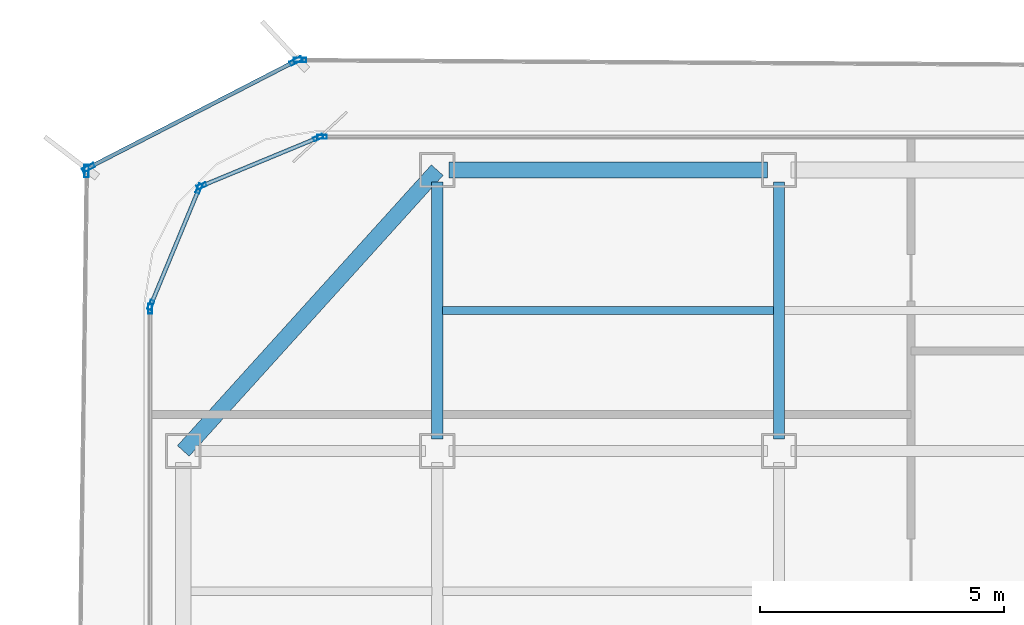
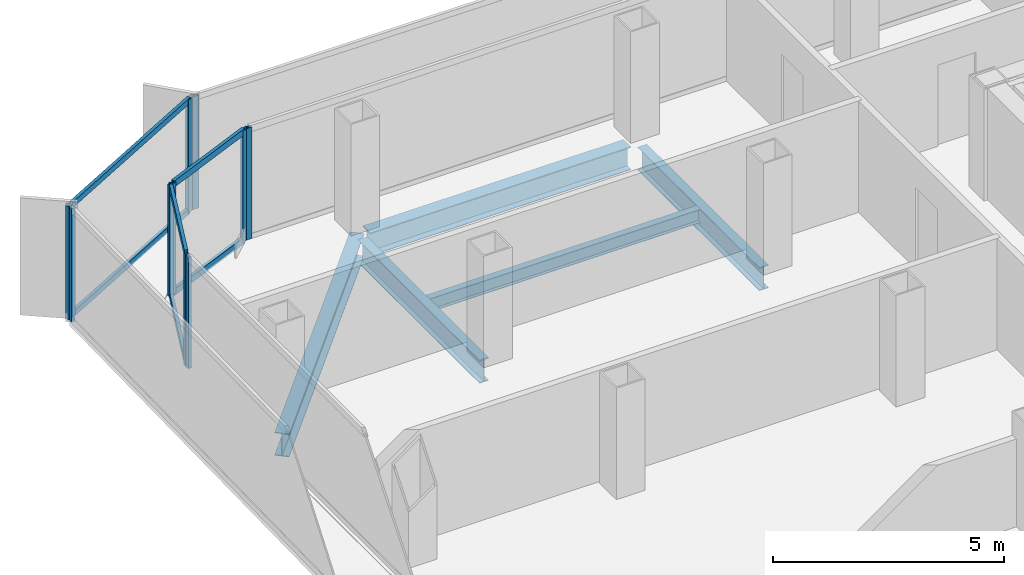
# One storey, part 6 of 15: 16 members, 5 beams, 7 elements without a shape of their own.
"""IFC4 building model written with IfcOpenShell, lengths in metres."""

from ifc_helpers import new_model, si_unit, direction, frame, origin, origin_2d, place, context, subcontext, project, spatial, hollow_rectangle, i_section, extrude, source, transform, mapped, material, layer, layer_set, material_profile, profile_set, type_object, element, aggregate, save


model = new_model("IFC4")

# Units and contexts
model_context = context("Model", 3, precision=1e-05, world=origin(), true_north=direction((0.0, 1.0)))
body_context = subcontext(model_context, "Body", "Model", "MODEL_VIEW")
ifc_project = project(units=[si_unit("LENGTHUNIT", "METRE"), si_unit("AREAUNIT", "SQUARE_METRE"), si_unit("VOLUMEUNIT", "CUBIC_METRE"), si_unit("PLANEANGLEUNIT", "RADIAN"), si_unit("MASSUNIT", "GRAM", prefix="KILO")], contexts=[model_context])

# Site, building, storey
site_placement = place(None, origin())
site = spatial("IfcSite", under=ifc_project, at=site_placement, CompositionType="ELEMENT")
building_placement = place(site_placement, origin())
building = spatial("IfcBuilding", under=site, at=building_placement, Name="Kolveth Station Tower", CompositionType="ELEMENT")
storey_placement = place(building_placement, frame((0.0, 0.0, 202.800048828125)))
storey = spatial("IfcBuildingStorey", under=building, at=storey_placement, Name="L57", CompositionType="ELEMENT", Elevation=202.800048828125)

# Beams
ifc_material_1 = material(Name="Steel S355", Category="steel")
ifc_material_profile_1 = material_profile(ifc_material_1, i_section(OverallWidth=0.323974609375, OverallDepth=0.611083984375, WebThickness=0.0126953125, FlangeThickness=0.01904296875, at=origin_2d()), Name="W610x155")
ifc_profile_set_1 = profile_set([ifc_material_profile_1], Name="Steel S355")
beam_type_1 = type_object("IfcBeamType", Name="Beam_SP2", PredefinedType="SPANDREL", material=ifc_profile_set_1)
shared_shape_1 = source(origin(), body_context, "Body", "SweptSolid", [
    extrude(i_section(OverallWidth=0.323974609375, OverallDepth=0.611083984375, WebThickness=0.0126953125, FlangeThickness=0.01904296875, at=origin_2d()), origin(), (0.0, 0.0, 1.0), 7.75244140625),
])
beam_1_placement = place(storey_placement, frame((6.0, 34.5, -0.5556640625), z_axis=(-0.670740965555, -0.74169168603, 0.0), x_axis=(0.74169168603, -0.670740965555, 0.0)))
element("IfcBeam", 1, at=beam_1_placement, inside=storey, type_object=beam_type_1, Name="L57 Corner Edge Girder BM-L57-CNR-NW", PredefinedType="SPANDREL", context=body_context, shape_type="MappedRepresentation", body=[
    mapped(shared_shape_1, transform((0.0, 0.0, 0.0), x_axis=(1.0, 0.0, 0.0), y_axis=(0.0, 1.0, 0.0), z_axis=(0.0, 0.0, 1.0), scale=1.0)),
])
shared_shape_2 = source(origin(), body_context, "Body", "SweptSolid", [
    extrude(i_section(OverallWidth=0.323974609375, OverallDepth=0.611083984375, WebThickness=0.0126953125, FlangeThickness=0.01904296875, at=origin_2d()), origin(), (0.0, 0.0, 1.0), 6.52001953125),
])
beam_2_placement = place(storey_placement, frame((6.239990234375, 34.5, -0.5556640625), z_axis=(1.0, 0.0, 0.0), x_axis=(0.0, 1.0, 0.0)))
element("IfcBeam", 2, at=beam_2_placement, inside=storey, type_object=beam_type_1, Name="L57 Perimeter Spandrel BM-L57-PN-1", PredefinedType="SPANDREL", context=body_context, shape_type="MappedRepresentation", body=[
    mapped(shared_shape_2, transform((0.0, 0.0, 0.0), x_axis=(1.0, 0.0, 0.0), y_axis=(0.0, 1.0, 0.0), z_axis=(0.0, 0.0, 1.0), scale=1.0)),
])
ifc_material_profile_2 = material_profile(ifc_material_1, i_section(OverallWidth=0.22900390625, OverallDepth=0.612060546875, WebThickness=0.011962890625, FlangeThickness=0.01953125, at=origin_2d()), Name="W610x125")
ifc_profile_set_2 = profile_set([ifc_material_profile_2], Name="Steel S355")
beam_type_2 = type_object("IfcBeamType", Name="Beam_B5", PredefinedType="BEAM", material=ifc_profile_set_2)
shared_shape_3 = source(origin(), body_context, "Body", "SweptSolid", [
    extrude(i_section(OverallWidth=0.22900390625, OverallDepth=0.612060546875, WebThickness=0.011962890625, FlangeThickness=0.01953125, at=origin_2d()), origin(), (0.0, 0.0, 1.0), 5.27001953125),
])
for number, where, z_axis, x_axis, name in (
    (3, (6.0, 28.989990234375, -0.55615234375), (0.0, 1.0, 0.0), (-1.0, 0.0, 0.0), "L57 Primary Girder BM-L57-GX60-6"),
    (4, (13.0, 28.989990234375, -0.55615234375), (0.0, 1.0, 0.0), (-1.0, 0.0, 0.0), "L57 Primary Girder BM-L57-GX130-6"),
):
    element("IfcBeam", number, at=place(storey_placement, frame(where, z_axis=z_axis, x_axis=x_axis)), inside=storey, type_object=beam_type_2, Name=name, PredefinedType="BEAM", context=body_context, shape_type="MappedRepresentation", body=[
        mapped(shared_shape_3, transform((0.0, 0.0, 0.0), x_axis=(1.0, 0.0, 0.0), y_axis=(0.0, 1.0, 0.0), z_axis=(0.0, 0.0, 1.0), scale=1.0)),
    ])
ifc_material_profile_3 = material_profile(ifc_material_1, i_section(OverallWidth=0.1708984375, OverallDepth=0.35205078125, WebThickness=0.0068359375, FlangeThickness=0.009765625, at=origin_2d()), Name="W360x44")
ifc_profile_set_3 = profile_set([ifc_material_profile_3], Name="Steel S355")
beam_type_3 = type_object("IfcBeamType", Name="Beam_J2", PredefinedType="JOIST", material=ifc_profile_set_3)
shared_shape_4 = source(origin(), body_context, "Body", "SweptSolid", [
    extrude(i_section(OverallWidth=0.1708984375, OverallDepth=0.35205078125, WebThickness=0.0068359375, FlangeThickness=0.009765625, at=origin_2d()), origin(), (0.0, 0.0, 1.0), 6.77490234375),
])
beam_3_placement = place(storey_placement, frame((6.112548828125, 31.625, -0.426025390625), z_axis=(1.0, 0.0, 0.0), x_axis=(0.0, 1.0, 0.0)))
element("IfcBeam", 5, at=beam_3_placement, inside=storey, type_object=beam_type_3, Name="L57 Secondary Joist JST-L57-2-6", PredefinedType="JOIST", context=body_context, shape_type="MappedRepresentation", body=[
    mapped(shared_shape_4, transform((0.0, 0.0, 0.0), x_axis=(1.0, 0.0, 0.0), y_axis=(0.0, 1.0, 0.0), z_axis=(0.0, 0.0, 1.0), scale=1.0)),
])

# Curtain wall, member
ifc_material_2 = material(Name="Aluminium 6063-T6 and low-E dark glass", Category="aluminium")
ifc_layer_1 = layer(ifc_material_2, 0.18994140625)
ifc_layer_set_1 = layer_set([ifc_layer_1], Name="Aluminium 6063-T6 and low-E dark glass")
curtain_wall_type_1 = type_object("IfcCurtainWallType", Name="CurtainWall_CW-Z2", PredefinedType="NOTDEFINED", material=ifc_layer_set_1)
curtain_wall_1_placement = place(storey_placement, origin())
curtain_wall_1 = element("IfcCurtainWall", 6, at=curtain_wall_1_placement, inside=storey, type_object=curtain_wall_type_1, Name="L57 Inner Thermal Curtain Wall 6", PredefinedType="NOTDEFINED")
ifc_material_3 = material(Name="Black anodized aluminium 6063-T6", Category="aluminium")
ifc_material_profile_4 = material_profile(ifc_material_3, hollow_rectangle(XDim=0.080078125, YDim=0.199951171875, WallThickness=0.0048828125, at=origin_2d()), Name="ALU-80x200x5")
ifc_profile_set_4 = profile_set([ifc_material_profile_4], Name="Black anodized aluminium 6063-T6")
member_type_1 = type_object("IfcMemberType", Name="Mullion_ML2", PredefinedType="MULLION", material=ifc_profile_set_4)
shared_shape_5 = source(origin(), body_context, "Body", "SweptSolid", [
    extrude(hollow_rectangle(XDim=0.080078125, YDim=0.199951171875, WallThickness=0.0048828125, at=origin_2d()), origin(), (0.0, 0.0, 1.0), 2.949951171875),
])
member_1_placement = place(storey_placement, frame((3.639892578125, 35.179931640625, 0.0), z_axis=(0.0, 0.0, 1.0), x_axis=(0.0, -1.0, 0.0)))
member_1 = element("IfcMember", 7, at=member_1_placement, type_object=member_type_1, Name="CW-Z2 mullion 2", PredefinedType="MULLION", context=body_context, shape_type="MappedRepresentation", body=[
    mapped(shared_shape_5, transform((0.0, 0.0, 0.0), x_axis=(1.0, 0.0, 0.0), y_axis=(0.0, 1.0, 0.0), z_axis=(0.0, 0.0, 1.0), scale=1.0)),
])
aggregate(curtain_wall_1, [member_1])

# Curtain wall, members
curtain_wall_2_placement = place(storey_placement, origin())
curtain_wall_2 = element("IfcCurtainWall", 8, at=curtain_wall_2_placement, inside=storey, type_object=curtain_wall_type_1, Name="L57 Inner Thermal Curtain Wall 7", PredefinedType="NOTDEFINED")
member_2_placement = place(storey_placement, frame((3.56298828125, 35.164794921875, 0.0), z_axis=(0.0, 0.0, 1.0), x_axis=(0.382697753087, -0.923873600544, 0.0)))
member_2 = element("IfcMember", 9, at=member_2_placement, type_object=member_type_1, Name="CW-Z2 mullion 1", PredefinedType="MULLION", context=body_context, shape_type="MappedRepresentation", body=[
    mapped(shared_shape_5, transform((0.0, 0.0, 0.0), x_axis=(1.0, 0.0, 0.0), y_axis=(0.0, 1.0, 0.0), z_axis=(0.0, 0.0, 1.0), scale=1.0)),
])
member_3_placement = place(storey_placement, frame((1.17626953125, 34.176025390625, 0.0), z_axis=(0.0, 0.0, 1.0), x_axis=(0.382697753087, -0.923873600544, 0.0)))
member_3 = element("IfcMember", 10, at=member_3_placement, type_object=member_type_1, Name="CW-Z2 mullion 2", PredefinedType="MULLION", context=body_context, shape_type="MappedRepresentation", body=[
    mapped(shared_shape_5, transform((0.0, 0.0, 0.0), x_axis=(1.0, 0.0, 0.0), y_axis=(0.0, 1.0, 0.0), z_axis=(0.0, 0.0, 1.0), scale=1.0)),
])

curtain_wall_3_placement = place(storey_placement, origin())
curtain_wall_3 = element("IfcCurtainWall", 11, at=curtain_wall_3_placement, inside=storey, type_object=curtain_wall_type_1, Name="L57 Inner Thermal Curtain Wall 8", PredefinedType="NOTDEFINED")
member_4_placement = place(storey_placement, frame((1.1240234375, 34.123779296875, 0.0), z_axis=(0.0, 0.0, 1.0), x_axis=(0.923873600544, -0.382697753087, 0.0)))
member_4 = element("IfcMember", 12, at=member_4_placement, type_object=member_type_1, Name="CW-Z2 mullion 1", PredefinedType="MULLION", context=body_context, shape_type="MappedRepresentation", body=[
    mapped(shared_shape_5, transform((0.0, 0.0, 0.0), x_axis=(1.0, 0.0, 0.0), y_axis=(0.0, 1.0, 0.0), z_axis=(0.0, 0.0, 1.0), scale=1.0)),
])
member_5_placement = place(storey_placement, frame((0.13525390625, 31.737060546875, 0.0), z_axis=(0.0, 0.0, 1.0), x_axis=(0.923873600544, -0.382697753087, 0.0)))
member_5 = element("IfcMember", 13, at=member_5_placement, type_object=member_type_1, Name="CW-Z2 mullion 2", PredefinedType="MULLION", context=body_context, shape_type="MappedRepresentation", body=[
    mapped(shared_shape_5, transform((0.0, 0.0, 0.0), x_axis=(1.0, 0.0, 0.0), y_axis=(0.0, 1.0, 0.0), z_axis=(0.0, 0.0, 1.0), scale=1.0)),
])

# Curtain wall, member
curtain_wall_4_placement = place(storey_placement, origin())
curtain_wall_4 = element("IfcCurtainWall", 14, at=curtain_wall_4_placement, inside=storey, type_object=curtain_wall_type_1, Name="L57 Inner Thermal Curtain Wall 9", PredefinedType="NOTDEFINED")
member_6_placement = place(storey_placement, frame((0.1201171875, 31.659912109375, 0.0), z_axis=(0.0, 0.0, 1.0), x_axis=(1.0, 0.0, 0.0)))
member_6 = element("IfcMember", 15, at=member_6_placement, type_object=member_type_1, Name="CW-Z2 mullion 1", PredefinedType="MULLION", context=body_context, shape_type="MappedRepresentation", body=[
    mapped(shared_shape_5, transform((0.0, 0.0, 0.0), x_axis=(1.0, 0.0, 0.0), y_axis=(0.0, 1.0, 0.0), z_axis=(0.0, 0.0, 1.0), scale=1.0)),
])
aggregate(curtain_wall_4, [member_6])

ifc_material_4 = material(Name="Black anodized aluminium 6063-T6 and dark solar glass", Category="aluminium")
ifc_layer_2 = layer(ifc_material_4, 0.159912109375)
ifc_layer_set_2 = layer_set([ifc_layer_2], Name="Black anodized aluminium 6063-T6 and dark solar glass")
curtain_wall_type_2 = type_object("IfcCurtainWallType", Name="OUTER SKIN CW-OS", PredefinedType="NOTDEFINED", material=ifc_layer_set_2)
curtain_wall_5_placement = place(storey_placement, origin())
curtain_wall_5 = element("IfcCurtainWall", 16, at=curtain_wall_5_placement, inside=storey, type_object=curtain_wall_type_2, Name="L57 Outer Ventilated Skin Curtain Wall 4", PredefinedType="NOTDEFINED")
ifc_material_profile_5 = material_profile(ifc_material_3, hollow_rectangle(XDim=0.090087890625, YDim=0.260009765625, WallThickness=0.0048828125, at=origin_2d()), Name="ALU-90x260x5")
ifc_profile_set_5 = profile_set([ifc_material_profile_5], Name="Black anodized aluminium 6063-T6")
member_type_2 = type_object("IfcMemberType", Name="FIN MULLION ML-OS", PredefinedType="MULLION", material=ifc_profile_set_5)
shared_shape_6 = source(origin(), body_context, "Body", "SweptSolid", [
    extrude(hollow_rectangle(XDim=0.090087890625, YDim=0.260009765625, WallThickness=0.0048828125, at=origin_2d()), origin(), (0.0, 0.0, 1.0), 2.989990234375),
])
member_7_placement = place(storey_placement, frame((3.1904296875, 36.75537109375, 0.0), z_axis=(0.0, 0.0, 1.0), x_axis=(-0.006040492113, -0.999981756061, 0.0)))
member_7 = element("IfcMember", 17, at=member_7_placement, type_object=member_type_2, Name="CW-OS mullion 2", PredefinedType="MULLION", context=body_context, shape_type="MappedRepresentation", body=[
    mapped(shared_shape_6, transform((0.0, 0.0, 0.0), x_axis=(1.0, 0.0, 0.0), y_axis=(0.0, 1.0, 0.0), z_axis=(0.0, 0.0, 1.0), scale=1.0)),
])
aggregate(curtain_wall_5, [member_7])

# Curtain wall, members
curtain_wall_6_placement = place(storey_placement, origin())
curtain_wall_6 = element("IfcCurtainWall", 18, at=curtain_wall_6_placement, inside=storey, type_object=curtain_wall_type_2, Name="L57 Outer Ventilated Skin Curtain Wall 5", PredefinedType="NOTDEFINED")
member_8_placement = place(storey_placement, frame((3.10546875, 36.735107421875, 0.0), z_axis=(0.0, 0.0, 1.0), x_axis=(0.458006292395, -0.888948950236, 0.0)))
member_8 = element("IfcMember", 19, at=member_8_placement, type_object=member_type_2, Name="CW-OS mullion 1", PredefinedType="MULLION", context=body_context, shape_type="MappedRepresentation", body=[
    mapped(shared_shape_6, transform((0.0, 0.0, 0.0), x_axis=(1.0, 0.0, 0.0), y_axis=(0.0, 1.0, 0.0), z_axis=(0.0, 0.0, 1.0), scale=1.0)),
])
member_9_placement = place(storey_placement, frame((-1.140380859375, 34.547607421875, 0.0), z_axis=(0.0, 0.0, 1.0), x_axis=(0.458006292395, -0.888948950236, 0.0)))
member_9 = element("IfcMember", 20, at=member_9_placement, type_object=member_type_2, Name="CW-OS mullion 2", PredefinedType="MULLION", context=body_context, shape_type="MappedRepresentation", body=[
    mapped(shared_shape_6, transform((0.0, 0.0, 0.0), x_axis=(1.0, 0.0, 0.0), y_axis=(0.0, 1.0, 0.0), z_axis=(0.0, 0.0, 1.0), scale=1.0)),
])

# Curtain wall, member
curtain_wall_7_placement = place(storey_placement, origin())
curtain_wall_7 = element("IfcCurtainWall", 21, at=curtain_wall_7_placement, inside=storey, type_object=curtain_wall_type_2, Name="L57 Outer Ventilated Skin Curtain Wall 6", PredefinedType="NOTDEFINED")
member_10_placement = place(storey_placement, frame((-1.18115234375, 34.48193359375, 0.0), z_axis=(0.0, 0.0, 1.0), x_axis=(0.999904128129, -0.0138468246, 0.0)))
member_10 = element("IfcMember", 22, at=member_10_placement, type_object=member_type_2, Name="CW-OS mullion 1", PredefinedType="MULLION", context=body_context, shape_type="MappedRepresentation", body=[
    mapped(shared_shape_6, transform((0.0, 0.0, 0.0), x_axis=(1.0, 0.0, 0.0), y_axis=(0.0, 1.0, 0.0), z_axis=(0.0, 0.0, 1.0), scale=1.0)),
])
aggregate(curtain_wall_7, [member_10])

# Member
ifc_material_profile_6 = material_profile(ifc_material_3, hollow_rectangle(XDim=0.080078125, YDim=0.169921875, WallThickness=0.0048828125, at=origin_2d()), Name="ALU-80x170x5")
ifc_profile_set_6 = profile_set([ifc_material_profile_6], Name="Black anodized aluminium 6063-T6")
member_type_3 = type_object("IfcMemberType", Name="Transom_TR2", PredefinedType="USERDEFINED", material=ifc_profile_set_6)
shared_shape_7 = source(origin(), body_context, "Body", "SweptSolid", [
    extrude(hollow_rectangle(XDim=0.080078125, YDim=0.169921875, WallThickness=0.0048828125, at=origin_2d()), origin(), (0.0, 0.0, 1.0), 2.50341796875),
])
member_11_placement = place(storey_placement, frame((3.526123046875, 35.1494140625, 0.0400390625), z_axis=(-0.923888472039, -0.382661849723, 0.0), x_axis=(0.382661849723, -0.923888472039, 0.0)))
member_11 = element("IfcMember", 23, at=member_11_placement, type_object=member_type_3, Name="CW-Z2 transom 1.1", ObjectType="TRANSOM", PredefinedType="USERDEFINED", context=body_context, shape_type="MappedRepresentation", body=[
    mapped(shared_shape_7, transform((0.0, 0.0, 0.0), x_axis=(1.0, 0.0, 0.0), y_axis=(0.0, 1.0, 0.0), z_axis=(0.0, 0.0, 1.0), scale=1.0)),
])

member_12_placement = place(storey_placement, frame((3.526123046875, 35.1494140625, 2.909912109375), z_axis=(-0.923888472039, -0.382661849723, 0.0), x_axis=(0.382661849723, -0.923888472039, 0.0)))
member_12 = element("IfcMember", 24, at=member_12_placement, type_object=member_type_3, Name="CW-Z2 transom 1.2", ObjectType="TRANSOM", PredefinedType="USERDEFINED", context=body_context, shape_type="MappedRepresentation", body=[
    mapped(shared_shape_7, transform((0.0, 0.0, 0.0), x_axis=(1.0, 0.0, 0.0), y_axis=(0.0, 1.0, 0.0), z_axis=(0.0, 0.0, 1.0), scale=1.0)),
])

aggregate(curtain_wall_2, [member_2, member_3, member_11, member_12])

member_13_placement = place(storey_placement, frame((1.108642578125, 34.086669921875, 0.0400390625), z_axis=(-0.382696328882, -0.923874190494, 0.0), x_axis=(0.923874190494, -0.382696328882, 0.0)))
member_13 = element("IfcMember", 25, at=member_13_placement, type_object=member_type_3, Name="CW-Z2 transom 1.1", ObjectType="TRANSOM", PredefinedType="USERDEFINED", context=body_context, shape_type="MappedRepresentation", body=[
    mapped(shared_shape_7, transform((0.0, 0.0, 0.0), x_axis=(1.0, 0.0, 0.0), y_axis=(0.0, 1.0, 0.0), z_axis=(0.0, 0.0, 1.0), scale=1.0)),
])

member_14_placement = place(storey_placement, frame((1.108642578125, 34.086669921875, 2.909912109375), z_axis=(-0.382696328882, -0.923874190494, 0.0), x_axis=(0.923874190494, -0.382696328882, 0.0)))
member_14 = element("IfcMember", 26, at=member_14_placement, type_object=member_type_3, Name="CW-Z2 transom 1.2", ObjectType="TRANSOM", PredefinedType="USERDEFINED", context=body_context, shape_type="MappedRepresentation", body=[
    mapped(shared_shape_7, transform((0.0, 0.0, 0.0), x_axis=(1.0, 0.0, 0.0), y_axis=(0.0, 1.0, 0.0), z_axis=(0.0, 0.0, 1.0), scale=1.0)),
])

aggregate(curtain_wall_3, [member_4, member_5, member_13, member_14])

ifc_material_profile_7 = material_profile(ifc_material_3, hollow_rectangle(XDim=0.080078125, YDim=0.14990234375, WallThickness=0.0048828125, at=origin_2d()), Name="ALU-80x150x5")
ifc_profile_set_7 = profile_set([ifc_material_profile_7], Name="Black anodized aluminium 6063-T6")
member_type_4 = type_object("IfcMemberType", Name="Transom_TR-OS", PredefinedType="USERDEFINED", material=ifc_profile_set_7)
shared_shape_8 = source(origin(), body_context, "Body", "SweptSolid", [
    extrude(hollow_rectangle(XDim=0.080078125, YDim=0.14990234375, WallThickness=0.0048828125, at=origin_2d()), origin(), (0.0, 0.0, 1.0), 4.6865234375),
])
member_15_placement = place(storey_placement, frame((3.0654296875, 36.714599609375, 0.0400390625), z_axis=(-0.888943705888, -0.45801647106, 0.0), x_axis=(0.45801647106, -0.888943705888, 0.0)))
member_15 = element("IfcMember", 27, at=member_15_placement, type_object=member_type_4, Name="CW-OS transom 1.1", ObjectType="TRANSOM", PredefinedType="USERDEFINED", context=body_context, shape_type="MappedRepresentation", body=[
    mapped(shared_shape_8, transform((0.0, 0.0, 0.0), x_axis=(1.0, 0.0, 0.0), y_axis=(0.0, 1.0, 0.0), z_axis=(0.0, 0.0, 1.0), scale=1.0)),
])

member_16_placement = place(storey_placement, frame((3.0654296875, 36.714599609375, 2.949951171875), z_axis=(-0.888943705888, -0.45801647106, 0.0), x_axis=(0.45801647106, -0.888943705888, 0.0)))
member_16 = element("IfcMember", 28, at=member_16_placement, type_object=member_type_4, Name="CW-OS transom 1.2", ObjectType="TRANSOM", PredefinedType="USERDEFINED", context=body_context, shape_type="MappedRepresentation", body=[
    mapped(shared_shape_8, transform((0.0, 0.0, 0.0), x_axis=(1.0, 0.0, 0.0), y_axis=(0.0, 1.0, 0.0), z_axis=(0.0, 0.0, 1.0), scale=1.0)),
])

aggregate(curtain_wall_6, [member_8, member_9, member_15, member_16])

save(model, "model.ifc")
